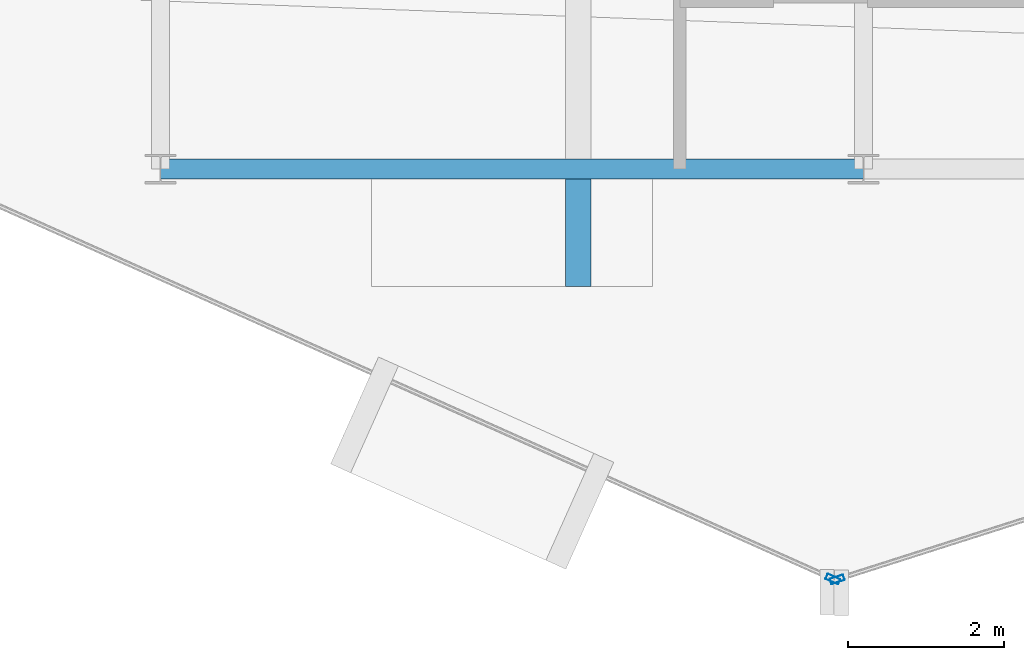
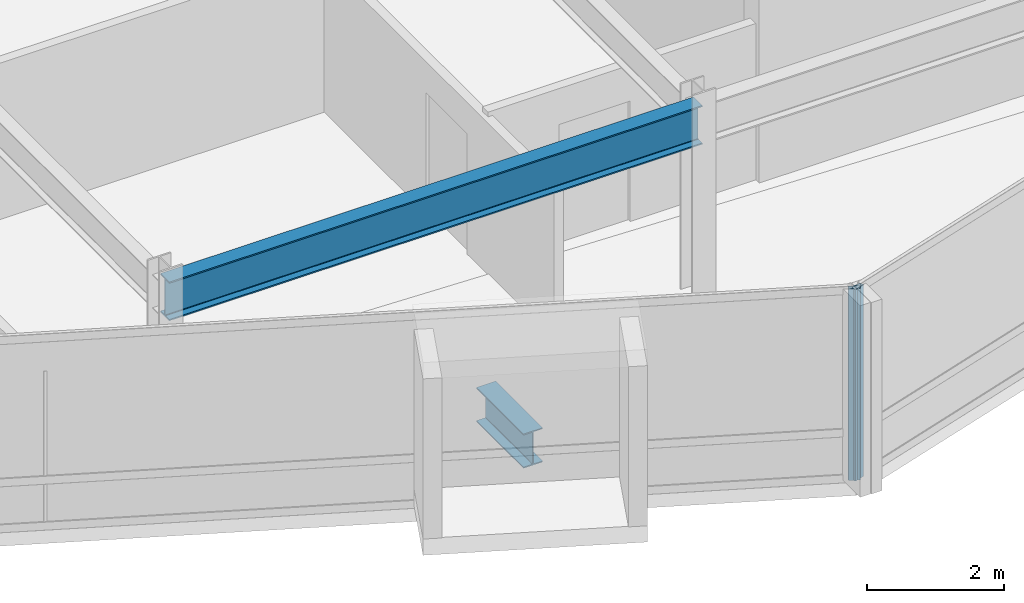
# One storey, part 4 of 19: 2 beams, 2 members, 2 elements without a shape of their own.
"""IFC4 building model written with IfcOpenShell, lengths in metres."""

from ifc_helpers import new_model, si_unit, direction, frame, origin, origin_2d, place, context, subcontext, project, spatial, hollow_rectangle, i_section, extrude, material, layer, layer_set, material_profile, profile_set, type_object, element, aggregate, save


model = new_model("IFC4")

# Units and contexts
model_context = context("Model", 3, precision=1e-05, world=origin(), true_north=direction((0.0, 1.0)))
body_context = subcontext(model_context, "Body", "Model", "MODEL_VIEW")
ifc_project = project(units=[si_unit("LENGTHUNIT", "METRE"), si_unit("AREAUNIT", "SQUARE_METRE"), si_unit("VOLUMEUNIT", "CUBIC_METRE"), si_unit("PLANEANGLEUNIT", "RADIAN"), si_unit("MASSUNIT", "GRAM", prefix="KILO")], contexts=[model_context])

# Site, building, storey
site_placement = place(None, origin())
site = spatial("IfcSite", under=ifc_project, at=site_placement, CompositionType="ELEMENT")
building_placement = place(site_placement, origin())
building = spatial("IfcBuilding", under=site, at=building_placement, Name="Solvaryn Broadcast Tower", CompositionType="ELEMENT")
storey_placement = place(building_placement, frame((0.0, 0.0, 266.699951171875)))
storey = spatial("IfcBuildingStorey", under=building, at=storey_placement, Name="L67", CompositionType="ELEMENT", Elevation=266.699951171875)

# Beams
ifc_material_1 = material(Name="Steel ASTM A992 Grade 50", Category="steel")
ifc_material_profile_1 = material_profile(ifc_material_1, i_section(OverallWidth=0.323974609375, OverallDepth=0.611083984375, WebThickness=0.0126953125, FlangeThickness=0.01904296875, FilletRadius=0.014892578125, at=origin_2d()))
ifc_profile_set_1 = profile_set([ifc_material_profile_1], Name="Steel ASTM A992 Grade 50")
beam_type_1 = type_object("IfcBeamType", Name="BM-CANT-TER", PredefinedType="BEAM", material=ifc_profile_set_1)
beam_1_placement = place(storey_placement, frame((23.35009765625, 8.875, -0.58544921875), z_axis=(0.0, -1.0, 0.0), x_axis=(1.0, 0.0, 0.0)))
element("IfcBeam", 1, at=beam_1_placement, inside=storey, type_object=beam_type_1, Name="L67 Bay-Box Cantilever Bracket 1", PredefinedType="BEAM", context=body_context, shape_type="SweptSolid", body=[
    extrude(i_section(OverallWidth=0.323974609375, OverallDepth=0.611083984375, WebThickness=0.0126953125, FlangeThickness=0.01904296875, FilletRadius=0.014892578125, at=origin_2d()), origin(), (0.0, 0.0, 1.0), 1.375),
])
ifc_material_2 = material(Name="Steel ASTM A992 Grade 50", Category="steel")
ifc_material_profile_2 = material_profile(ifc_material_2, i_section(OverallWidth=0.256103515625, OverallDepth=0.693115234375, WebThickness=0.014404296875, FlangeThickness=0.023681640625, FilletRadius=0.01611328125, at=origin_2d()))
ifc_profile_set_2 = profile_set([ifc_material_profile_2], Name="Steel ASTM A992 Grade 50")
beam_type_2 = type_object("IfcBeamType", Name="BM-SP3-W27X114", PredefinedType="USERDEFINED", material=ifc_profile_set_2)
beam_2_placement = place(storey_placement, frame((18.0, 9.0, 3.073486328125), z_axis=(1.0, 0.0, 0.0), x_axis=(0.0, 1.0, 0.0)))
element("IfcBeam", 2, at=beam_2_placement, inside=storey, type_object=beam_type_2, Name="L67 Spandrel Beam X (18-27 @ Y=9)", ObjectType="SPANDREL", PredefinedType="USERDEFINED", context=body_context, shape_type="SweptSolid", body=[
    extrude(i_section(OverallWidth=0.256103515625, OverallDepth=0.693115234375, WebThickness=0.014404296875, FlangeThickness=0.023681640625, FilletRadius=0.01611328125, at=origin_2d()), origin(), (0.0, 0.0, 1.0), 9.0),
])

# Curtain wall, member
ifc_material_3 = material(Name="Aluminium and Terracotta Unitised Curtain Wall", Category="masonry")
ifc_layer = layer(ifc_material_3, 0.199951171875)
ifc_layer_set = layer_set([ifc_layer], Name="CW-SYS2-LOWMID")
curtain_wall_type = type_object("IfcCurtainWallType", Name="CW-SYS2-LOWMID", PredefinedType="NOTDEFINED", material=ifc_layer_set)
curtain_wall_1_placement = place(storey_placement, origin())
curtain_wall_1 = element("IfcCurtainWall", 3, at=curtain_wall_1_placement, inside=storey, type_object=curtain_wall_type, Name="L67 Curtain Wall DR3", PredefinedType="NOTDEFINED")
ifc_material_4 = material(Name="Anodised Aluminium 6063-T6", Category="aluminium")
ifc_material_profile_3 = material_profile(ifc_material_4, hollow_rectangle(XDim=0.074951171875, YDim=0.179931640625, WallThickness=0.00390625, InnerFilletRadius=0.00390625, OuterFilletRadius=0.008056640625, at=origin_2d()))
ifc_profile_set_3 = profile_set([ifc_material_profile_3], Name="Anodised Aluminium 6063-T6")
member_type = type_object("IfcMemberType", Name="CW-MUL-180", PredefinedType="MULLION", material=ifc_profile_set_3)
member_1_placement = place(storey_placement, frame((26.608642578125, 3.750244140625, 0.0), z_axis=(0.0, 0.0, 1.0), x_axis=(0.408466010682, 0.912773530574, 0.0)))
member_1 = element("IfcMember", 4, at=member_1_placement, type_object=member_type, Name="CWS2 mullion 2", PredefinedType="MULLION", context=body_context, shape_type="SweptSolid", body=[
    extrude(hollow_rectangle(XDim=0.074951171875, YDim=0.179931640625, WallThickness=0.00390625, InnerFilletRadius=0.00390625, OuterFilletRadius=0.008056640625, at=origin_2d()), origin(), (0.0, 0.0, 1.0), 3.420166015625),
])
aggregate(curtain_wall_1, [member_1])

curtain_wall_2_placement = place(storey_placement, origin())
curtain_wall_2 = element("IfcCurtainWall", 5, at=curtain_wall_2_placement, inside=storey, type_object=curtain_wall_type, Name="L67 Curtain Wall DR4", PredefinedType="NOTDEFINED")
member_2_placement = place(storey_placement, frame((26.66455078125, 3.7470703125, 0.0), z_axis=(0.0, 0.0, 1.0), x_axis=(-0.30361564569, 0.952794594701, 0.0)))
member_2 = element("IfcMember", 6, at=member_2_placement, type_object=member_type, Name="CWS2 mullion 1", PredefinedType="MULLION", context=body_context, shape_type="SweptSolid", body=[
    extrude(hollow_rectangle(XDim=0.074951171875, YDim=0.179931640625, WallThickness=0.00390625, InnerFilletRadius=0.00390625, OuterFilletRadius=0.008056640625, at=origin_2d()), origin(), (0.0, 0.0, 1.0), 3.420166015625),
])
aggregate(curtain_wall_2, [member_2])

save(model, "model.ifc")
